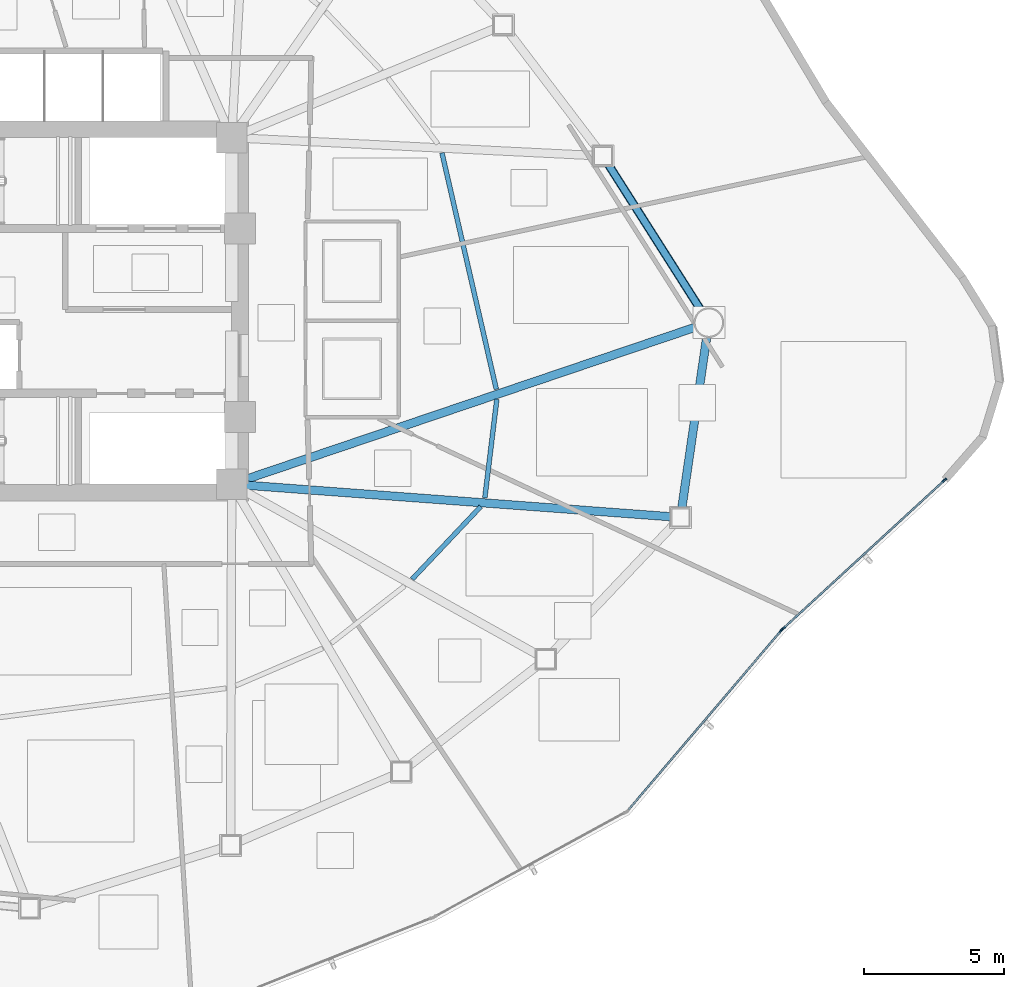
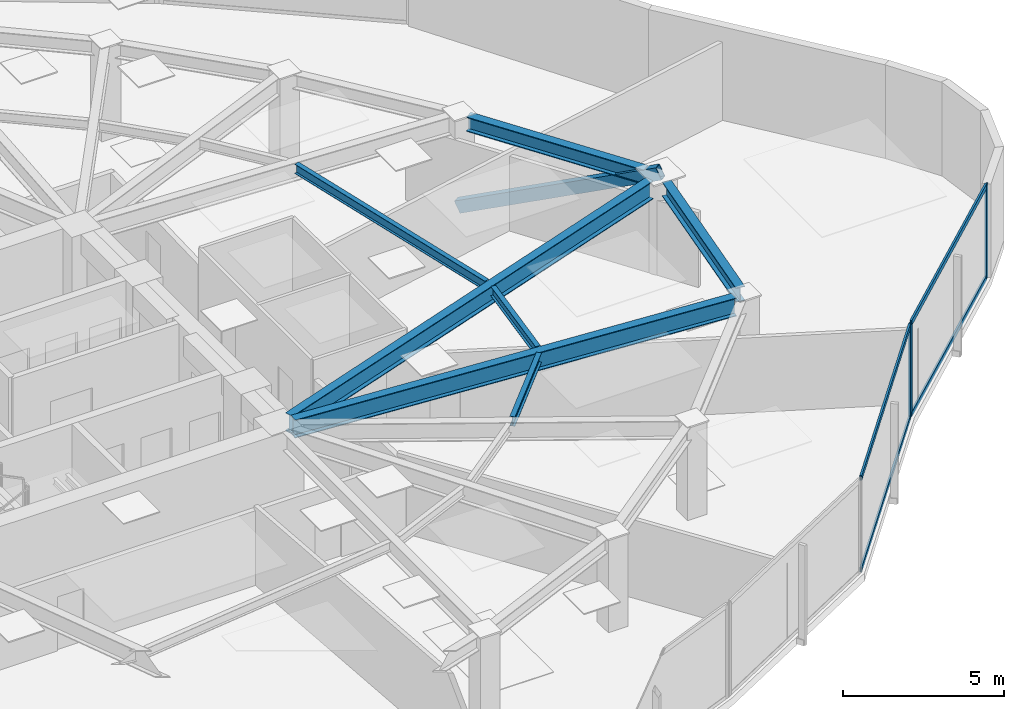
# One storey, part 6 of 16: 8 members, 7 beams, 2 elements without a shape of their own.
"""IFC4 building model written with IfcOpenShell, lengths in metres."""

from ifc_helpers import new_model, si_unit, direction, frame, origin, origin_2d, place, context, subcontext, project, spatial, hollow_rectangle, i_section, extrude, source, transform, mapped, material, layer, layer_set, material_profile, profile_set, type_object, type_shapes, element, aggregate, save


model = new_model("IFC4")

# Units and contexts
model_context = context("Model", 3, precision=1e-05, world=origin(), true_north=direction((0.0, 1.0)))
body_context = subcontext(model_context, "Body", "Model", "MODEL_VIEW")
ifc_project = project(units=[si_unit("LENGTHUNIT", "METRE"), si_unit("AREAUNIT", "SQUARE_METRE"), si_unit("VOLUMEUNIT", "CUBIC_METRE"), si_unit("PLANEANGLEUNIT", "RADIAN"), si_unit("MASSUNIT", "GRAM", prefix="KILO")], contexts=[model_context])

# Site, building, storey
site_placement = place(None, origin())
site = spatial("IfcSite", under=ifc_project, at=site_placement, CompositionType="ELEMENT")
building_placement = place(site_placement, origin())
building = spatial("IfcBuilding", under=site, at=building_placement, Name="Tavelor Broadcast Tower", CompositionType="ELEMENT")
storey_placement = place(building_placement, frame((0.0, 0.0, 138.699951171875)))
storey = spatial("IfcBuildingStorey", under=building, at=storey_placement, Name="L32", CompositionType="ELEMENT", Elevation=138.699951171875)

# Beams
ifc_material_1 = material(Name="Steel S355", Category="steel")
ifc_material_profile_1 = material_profile(ifc_material_1, i_section(OverallWidth=0.169921875, OverallDepth=0.360107421875, WebThickness=0.008056640625, FlangeThickness=0.0126953125, at=origin_2d()), Name="IPE 360")
ifc_profile_set_1 = profile_set([ifc_material_profile_1], Name="Steel S355")
beam_type_1 = type_object("IfcBeamType", Name="Composite Floor Joist T3 IPE 360", PredefinedType="JOIST", material=ifc_profile_set_1)
beam_1_placement = place(storey_placement, frame((63.05859375, 35.39990234375, 3.3701171875), z_axis=(0.686806065531, 0.726840717317, 0.0), x_axis=(-0.726840717317, 0.686806065531, 0.0)))
element("IfcBeam", 1, at=beam_1_placement, inside=storey, type_object=beam_type_1, Name="L32 Secondary Composite Floor Joist 11", PredefinedType="JOIST", context=body_context, shape_type="SweptSolid", body=[
    extrude(i_section(OverallWidth=0.169921875, OverallDepth=0.360107421875, WebThickness=0.008056640625, FlangeThickness=0.0126953125, at=origin_2d()), origin(), (0.0, 0.0, 1.0), 3.573486328125),
])
beam_2_placement = place(storey_placement, frame((65.6591796875, 38.30859375, 3.3701171875), z_axis=(0.120874566199, 0.992667788964, 0.0), x_axis=(-0.992667788964, 0.120874566199, 0.0)))
element("IfcBeam", 2, at=beam_2_placement, inside=storey, type_object=beam_type_1, Name="L32 Secondary Composite Floor Joist 12", PredefinedType="JOIST", context=body_context, shape_type="SweptSolid", body=[
    extrude(i_section(OverallWidth=0.169921875, OverallDepth=0.360107421875, WebThickness=0.008056640625, FlangeThickness=0.0126953125, at=origin_2d()), origin(), (0.0, 0.0, 1.0), 3.556884765625),
])
beam_3_placement = place(storey_placement, frame((66.0703125, 42.1953125, 3.3701171875), z_axis=(-0.224119909946, 0.974561576282, 0.0), x_axis=(-0.974561576282, -0.224119909946, 0.0)))
element("IfcBeam", 3, at=beam_3_placement, inside=storey, type_object=beam_type_1, Name="L32 Secondary Composite Floor Joist 13", PredefinedType="JOIST", context=body_context, shape_type="SweptSolid", body=[
    extrude(i_section(OverallWidth=0.169921875, OverallDepth=0.360107421875, WebThickness=0.008056640625, FlangeThickness=0.0126953125, at=origin_2d()), origin(), (0.0, 0.0, 1.0), 8.6796875),
])
ifc_material_profile_2 = material_profile(ifc_material_1, i_section(OverallWidth=0.300048828125, OverallDepth=0.550048828125, WebThickness=0.014892578125, FlangeThickness=0.029052734375, at=origin_2d()), Name="HEB 550")
ifc_profile_set_2 = profile_set([ifc_material_profile_2], Name="Steel S355")
beam_type_2 = type_object("IfcBeamType", Name="Perimeter Spandrel Beam T3 HEB 550", PredefinedType="SPANDREL", material=ifc_profile_set_2)
beam_4_placement = place(storey_placement, frame((72.707763671875, 37.93994140625, 3.275146484375), z_axis=(0.144294035731, 0.989534856007, 0.0), x_axis=(-0.989534856007, 0.144294035731, 0.0)))
element("IfcBeam", 4, at=beam_4_placement, inside=storey, type_object=beam_type_2, Name="L32 Framed-Tube Ring Spandrel 12", PredefinedType="SPANDREL", context=body_context, shape_type="SweptSolid", body=[
    extrude(i_section(OverallWidth=0.300048828125, OverallDepth=0.550048828125, WebThickness=0.014892578125, FlangeThickness=0.029052734375, at=origin_2d()), origin(), (0.0, 0.0, 1.0), 6.19775390625),
])
beam_5_placement = place(storey_placement, frame((73.4013671875, 45.01171875, 3.275146484375), z_axis=(-0.536283466807, 0.844037939449, 0.0), x_axis=(-0.844037939449, -0.536283466807, 0.0)))
element("IfcBeam", 5, at=beam_5_placement, inside=storey, type_object=beam_type_2, Name="L32 Framed-Tube Ring Spandrel 13", PredefinedType="SPANDREL", context=body_context, shape_type="SweptSolid", body=[
    extrude(i_section(OverallWidth=0.300048828125, OverallDepth=0.550048828125, WebThickness=0.014892578125, FlangeThickness=0.029052734375, at=origin_2d()), origin(), (0.0, 0.0, 1.0), 6.21875),
])

# Member
ifc_material_profile_3 = material_profile(ifc_material_1, hollow_rectangle(XDim=0.25, YDim=0.449951171875, WallThickness=0.02001953125, at=origin_2d()), Name="RHS 450x250x20")
ifc_profile_set_3 = profile_set([ifc_material_profile_3], Name="Steel S355")
member_type_1 = type_object("IfcMemberType", Name="Perimeter Tube Brace T3 RHS 450x250x20", PredefinedType="BRACE", material=ifc_profile_set_3)
member_1_placement = place(storey_placement, frame((69.885986328125, 50.544189453125, 0.0), z_axis=(0.479238755177, -0.754205232397, 0.448892729904), x_axis=(0.844021198089, 0.536309814544, 0.0)))
element("IfcMember", 6, at=member_1_placement, inside=storey, type_object=member_type_1, Name="L32 Corner Tube Diagonal Brace 3", PredefinedType="BRACE", context=body_context, shape_type="SweptSolid", body=[
    extrude(hollow_rectangle(XDim=0.25, YDim=0.449951171875, WallThickness=0.02001953125, at=origin_2d()), origin(), (0.0, 0.0, 1.0), 7.908447265625),
])

# Beams
ifc_material_profile_4 = material_profile(ifc_material_1, i_section(OverallWidth=0.300048828125, OverallDepth=0.68994140625, WebThickness=0.014404296875, FlangeThickness=0.027099609375, at=origin_2d()), Name="HEA 700")
ifc_profile_set_4 = profile_set([ifc_material_profile_4], Name="Steel S355")
beam_type_3 = type_object("IfcBeamType", Name="Radial Floor Girder T3 HEA 700", PredefinedType="BEAM", material=ifc_profile_set_4)
beam_6_placement = place(storey_placement, frame((57.126708984375, 38.760986328125, 3.205078125), z_axis=(0.997253617312, -0.074062289721, 0.0), x_axis=(0.074062289721, 0.997253617312, 0.0)))
element("IfcBeam", 7, at=beam_6_placement, inside=storey, type_object=beam_type_3, Name="L32 Radial Primary Floor Girder 12", PredefinedType="BEAM", context=body_context, shape_type="SweptSolid", body=[
    extrude(i_section(OverallWidth=0.300048828125, OverallDepth=0.68994140625, WebThickness=0.014404296875, FlangeThickness=0.027099609375, at=origin_2d()), origin(), (0.0, 0.0, 1.0), 15.2392578125),
])
beam_7_placement = place(storey_placement, frame((57.10009765625, 38.96923828125, 3.205078125), z_axis=(0.947217379582, 0.32059200835, 0.0), x_axis=(-0.32059200835, 0.947217379582, 0.0)))
element("IfcBeam", 8, at=beam_7_placement, inside=storey, type_object=beam_type_3, Name="L32 Radial Primary Floor Girder 13", PredefinedType="BEAM", context=body_context, shape_type="SweptSolid", body=[
    extrude(i_section(OverallWidth=0.300048828125, OverallDepth=0.68994140625, WebThickness=0.014404296875, FlangeThickness=0.027099609375, at=origin_2d()), origin(), (0.0, 0.0, 1.0), 16.987548828125),
])

# Curtain wall, member
ifc_material_2 = material(Name="Architectural Anodized Aluminium", Category="aluminium")
ifc_layer = layer(ifc_material_2, 0.18994140625)
ifc_layer_set = layer_set([ifc_layer], Name="Architectural Anodized Aluminium")
curtain_wall_type = type_object("IfcCurtainWallType", Name="Tower Mid-Zone Acoustic Curtain Wall CW03", PredefinedType="NOTDEFINED", material=ifc_layer_set)
curtain_wall_1_placement = place(storey_placement, origin())
curtain_wall_1 = element("IfcCurtainWall", 9, at=curtain_wall_1_placement, inside=storey, type_object=curtain_wall_type, Name="L32 Curtain Wall CW03 Run 331", PredefinedType="NOTDEFINED")
ifc_material_profile_5 = material_profile(ifc_material_2, hollow_rectangle(XDim=0.068115234375, YDim=0.18994140625, WallThickness=0.02197265625, at=origin_2d()), Name="RHS 68x190x22")
ifc_profile_set_5 = profile_set([ifc_material_profile_5], Name="Architectural Anodized Aluminium")
member_type_2 = type_object("IfcMemberType", Name="CW03 Extruded Aluminium Mullion 68x190", PredefinedType="MULLION", material=ifc_profile_set_5)
shared_shape_1 = source(origin(), body_context, "Body", "SweptSolid", [
    extrude(hollow_rectangle(XDim=0.068115234375, YDim=0.18994140625, WallThickness=0.02197265625, at=origin_2d()), origin(), (0.0, 0.0, 1.0), 3.550048828125),
])
type_shapes(member_type_2, [shared_shape_1])
member_2_placement = place(storey_placement, frame((76.26123046875, 33.55712890625, 0.0), z_axis=(0.0, 0.0, 1.0), x_axis=(-0.761224564564, 0.648488367131, 0.0)))
member_2 = element("IfcMember", 10, at=member_2_placement, type_object=member_type_2, Name="CW03 mullion 2", PredefinedType="MULLION", context=body_context, shape_type="MappedRepresentation", body=[
    mapped(shared_shape_1, transform((0.0, 0.0, 0.0), scale=1.0)),
])

# Curtain wall, members
curtain_wall_2_placement = place(storey_placement, origin())
curtain_wall_2 = element("IfcCurtainWall", 11, at=curtain_wall_2_placement, inside=storey, type_object=curtain_wall_type, Name="L32 Curtain Wall CW03 Run 332", PredefinedType="NOTDEFINED")
member_3_placement = place(storey_placement, frame((76.328857421875, 33.627685546875, 0.0), z_axis=(0.0, 0.0, 1.0), x_axis=(-0.676577566563, 0.736371371269, 0.0)))
member_3 = element("IfcMember", 12, at=member_3_placement, type_object=member_type_2, Name="CW03 mullion 1", PredefinedType="MULLION", context=body_context, shape_type="MappedRepresentation", body=[
    mapped(shared_shape_1, transform((0.0, 0.0, 0.0), scale=1.0)),
])
member_4_placement = place(storey_placement, frame((82.112548828125, 38.941650390625, 0.0), z_axis=(0.0, 0.0, 1.0), x_axis=(-0.676577566563, 0.736371371269, 0.0)))
member_4 = element("IfcMember", 13, at=member_4_placement, type_object=member_type_2, Name="CW03 mullion 2", PredefinedType="MULLION", context=body_context, shape_type="MappedRepresentation", body=[
    mapped(shared_shape_1, transform((0.0, 0.0, 0.0), scale=1.0)),
])

# Member
ifc_material_profile_6 = material_profile(ifc_material_2, hollow_rectangle(XDim=0.068115234375, YDim=0.18994140625, WallThickness=0.02197265625, at=origin_2d()), Name="RHS 68x190x22")
ifc_profile_set_6 = profile_set([ifc_material_profile_6], Name="Architectural Anodized Aluminium")
member_type_3 = type_object("IfcMemberType", Name="CW03 Extruded Aluminium Transom 68x190", PredefinedType="USERDEFINED", material=ifc_profile_set_6)
shared_shape_2 = source(origin(), body_context, "Body", "SweptSolid", [
    extrude(hollow_rectangle(XDim=0.068115234375, YDim=0.18994140625, WallThickness=0.02197265625, at=origin_2d()), origin(), (0.0, 0.0, 1.0), 8.385498046875),
])
member_5_placement = place(storey_placement, frame((70.801025390625, 27.14794921875, 0.033935546875), z_axis=(0.648491450021, 0.761221938235, 0.0), x_axis=(-0.761221938235, 0.648491450021, 0.0)))
member_5 = element("IfcMember", 14, at=member_5_placement, type_object=member_type_3, Name="CW03 transom 1.1", ObjectType="TRANSOM", PredefinedType="USERDEFINED", context=body_context, shape_type="MappedRepresentation", body=[
    mapped(shared_shape_2, transform((0.0, 0.0, 0.0), scale=1.0)),
])

member_6_placement = place(storey_placement, frame((70.801025390625, 27.14794921875, 3.51611328125), z_axis=(0.648491450021, 0.761221938235, 0.0), x_axis=(-0.761221938235, 0.648491450021, 0.0)))
member_6 = element("IfcMember", 15, at=member_6_placement, type_object=member_type_3, Name="CW03 transom 1.2", ObjectType="TRANSOM", PredefinedType="USERDEFINED", context=body_context, shape_type="MappedRepresentation", body=[
    mapped(shared_shape_2, transform((0.0, 0.0, 0.0), scale=1.0)),
])

aggregate(curtain_wall_1, [member_2, member_5, member_6])

shared_shape_3 = source(origin(), body_context, "Body", "SweptSolid", [
    extrude(hollow_rectangle(XDim=0.068115234375, YDim=0.18994140625, WallThickness=0.02197265625, at=origin_2d()), origin(), (0.0, 0.0, 1.0), 7.786376953125),
])
type_shapes(member_type_3, [shared_shape_2, shared_shape_3])
member_7_placement = place(storey_placement, frame((76.35400390625, 33.650634765625, 0.033935546875), z_axis=(0.736371428578, 0.676577504188, 0.0), x_axis=(-0.676577504188, 0.736371428578, 0.0)))
member_7 = element("IfcMember", 16, at=member_7_placement, type_object=member_type_3, Name="CW03 transom 1.1", ObjectType="TRANSOM", PredefinedType="USERDEFINED", context=body_context, shape_type="MappedRepresentation", body=[
    mapped(shared_shape_3, transform((0.0, 0.0, 0.0), scale=1.0)),
])

member_8_placement = place(storey_placement, frame((76.35400390625, 33.650634765625, 3.51611328125), z_axis=(0.736371428578, 0.676577504188, 0.0), x_axis=(-0.676577504188, 0.736371428578, 0.0)))
member_8 = element("IfcMember", 17, at=member_8_placement, type_object=member_type_3, Name="CW03 transom 1.2", ObjectType="TRANSOM", PredefinedType="USERDEFINED", context=body_context, shape_type="MappedRepresentation", body=[
    mapped(shared_shape_3, transform((0.0, 0.0, 0.0), scale=1.0)),
])

aggregate(curtain_wall_2, [member_3, member_4, member_7, member_8])

save(model, "model.ifc")
